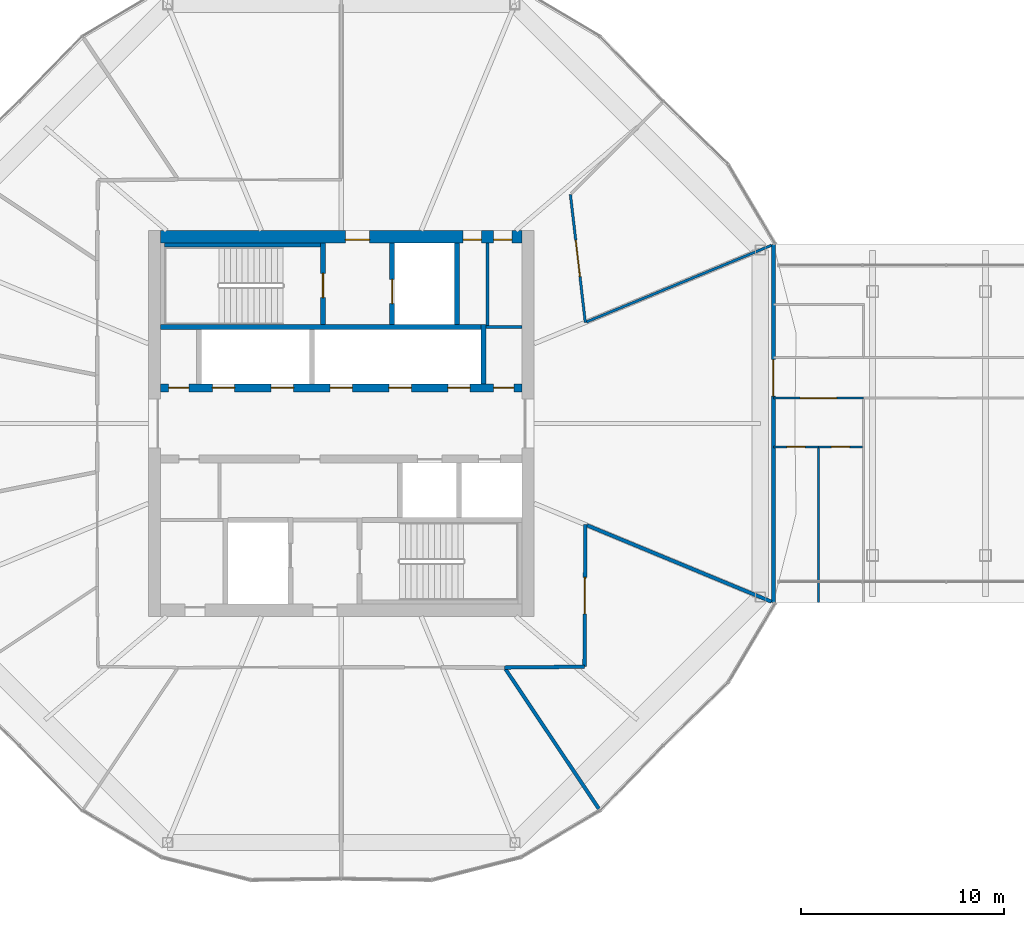
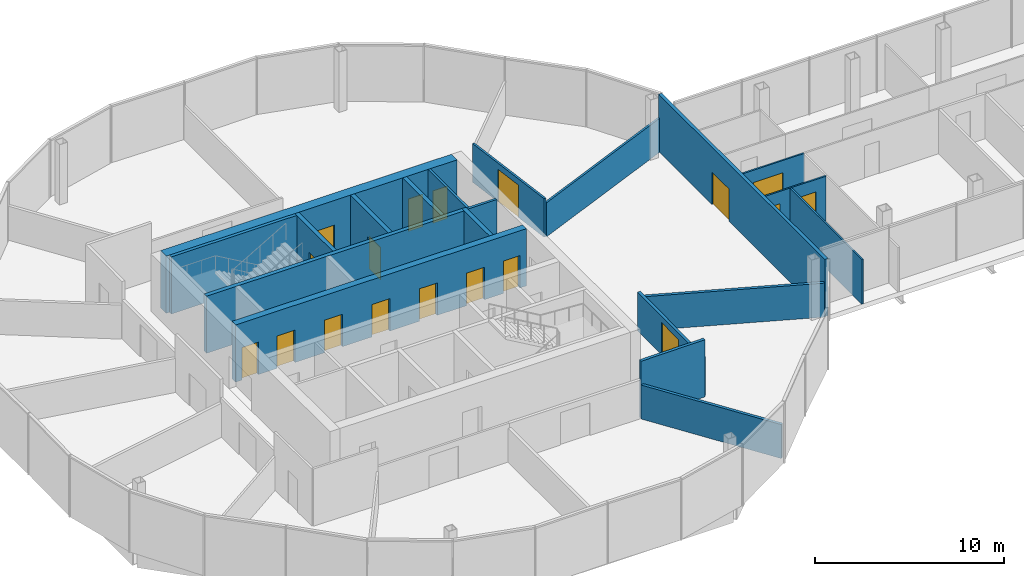
# One storey, part 20 of 26: 21 walls, 18 doors, 18 openings.
"""IFC4 building model written with IfcOpenShell, lengths in metres."""

from ifc_helpers import new_model, si_unit, direction, frame, frame_2d, origin, place, context, subcontext, project, spatial, rectangle, extrude, material, layer, layer_set, type_object, element, fill, save


model = new_model("IFC4")

# Units and contexts
model_context = context("Model", 3, precision=1e-05, world=origin(), true_north=direction((0.0, 1.0)))
body_context = subcontext(model_context, "Body", "Model", "MODEL_VIEW")
ifc_project = project(units=[si_unit("LENGTHUNIT", "METRE"), si_unit("AREAUNIT", "SQUARE_METRE"), si_unit("VOLUMEUNIT", "CUBIC_METRE"), si_unit("PLANEANGLEUNIT", "RADIAN"), si_unit("MASSUNIT", "GRAM", prefix="KILO")], contexts=[model_context])

# Site, building, storey
site_placement = place(None, origin())
site = spatial("IfcSite", under=ifc_project, at=site_placement, CompositionType="ELEMENT")
building_placement = place(site_placement, origin())
building = spatial("IfcBuilding", under=site, at=building_placement, Name="Ogive Gate Towers", CompositionType="ELEMENT")
storey_placement = place(building_placement, frame((0.0, 0.0, 156.800048828125)))
storey = spatial("IfcBuildingStorey", under=building, at=storey_placement, Name="L37", CompositionType="ELEMENT", Elevation=156.800048828125)

# Walls
ifc_material_1 = material(Name="Gypsum board acoustic partition")
ifc_layer_1 = layer(ifc_material_1, 0.175048828125)
ifc_layer_set_1 = layer_set([ifc_layer_1], Name="Acoustic partition 175")
wall_type_1 = type_object("IfcWallType", Name="Acoustic partition 175", PredefinedType="PARTITIONING", material=ifc_layer_set_1)
wall_1_placement = place(storey_placement, frame((-23.304443359375, -18.986083984375, 0.0), z_axis=(0.0, 0.0, 1.0), x_axis=(-0.555854795221, 0.831279403468, 0.0)))
element("IfcWall", 1, at=wall_1_placement, inside=storey, type_object=wall_type_1, Name="Partition T1-L37-011", PredefinedType="PARTITIONING", context=body_context, shape_type="SweptSolid", body=[
    extrude(rectangle(XDim=8.29150390625, YDim=0.175048828125, at=frame_2d((4.145751953125, 0.0))), origin(), (0.0, 0.0, 1.0), 2.199951171875),
])
wall_2_placement = place(storey_placement, frame((-14.813720703125, -8.775634765625, 0.0), z_axis=(0.0, 0.0, 1.0), x_axis=(-0.923885809309, 0.382668278482, 0.0)))
element("IfcWall", 2, at=wall_2_placement, inside=storey, type_object=wall_type_1, Name="Partition T1-L37-012", PredefinedType="PARTITIONING", context=body_context, shape_type="SweptSolid", body=[
    extrude(rectangle(XDim=9.83349609375, YDim=0.175048828125, at=frame_2d((4.916748046875, 0.0))), origin(), (0.0, 0.0, 1.0), 2.199951171875),
])

# Wall, opening, door
wall_3_placement = place(storey_placement, frame((-24.02001953125, -11.97998046875, 0.0), z_axis=(0.0, 0.0, 1.0), x_axis=(0.005788715954, 0.999983245243, 0.0)))
wall_3 = element("IfcWall", 3, at=wall_3_placement, inside=storey, type_object=wall_type_1, Name="Partition T1-L37-024", PredefinedType="PARTITIONING", context=body_context, shape_type="SweptSolid", body=[
    extrude(rectangle(XDim=7.0009765625, YDim=0.175048828125, at=frame_2d((3.50048828125, 0.0))), origin(), (0.0, 0.0, 1.0), 2.5),
])
opening_1_placement = place(wall_3_placement, frame((2.60107421875, 0.0, 0.0)))
opening_1 = element("IfcOpeningElement", 4, at=opening_1_placement, cuts=wall_3, Name="Opening T1-L37-D10", PredefinedType="OPENING", context=body_context, shape_type="SweptSolid", body=[
    extrude(rectangle(XDim=1.800048828125, YDim=2.10009765625, at=frame_2d((0.89990234375, 1.050048828125))), frame((0.0, 0.09765625, 0.0), z_axis=(0.0, -1.0, 0.0), x_axis=(1.0, 0.0, 0.0)), (0.0, 0.0, 1.0), 0.195068359375),
])
ifc_material_2 = material(Name="Timber door", Category="wood")
door_type_1 = type_object("IfcDoorType", Name="Door pair 1800", OperationType="NOTDEFINED", PredefinedType="DOOR", material=ifc_material_2)
door_1_placement = place(opening_1_placement, origin())
door_1 = element("IfcDoor", 5, at=door_1_placement, inside=storey, type_object=door_type_1, Name="Door T1-L37-D10", OperationType="DOUBLE_DOOR_DOUBLE_SWING", OverallHeight=2.10009765625, OverallWidth=1.800048828125, PredefinedType="DOOR", context=body_context, shape_type="SweptSolid", body=[
    extrude(rectangle(XDim=1.800048828125, YDim=2.10009765625, at=frame_2d((0.89990234375, 1.050048828125))), frame((0.0, 0.02490234375, 0.0), z_axis=(0.0, -1.0, 0.0), x_axis=(1.0, 0.0, 0.0)), (0.0, 0.0, 1.0), 0.050048828125),
])
fill(opening_1, door_1)

# Wall
wall_4_placement = place(storey_placement, frame((-27.9619140625, -12.020751953125, 0.0), z_axis=(0.0, 0.0, 1.0), x_axis=(0.999946514236, 0.010342565829, 0.0)))
element("IfcWall", 6, at=wall_4_placement, inside=storey, type_object=wall_type_1, Name="Partition T1-L37-025", PredefinedType="PARTITIONING", context=body_context, shape_type="SweptSolid", body=[
    extrude(rectangle(XDim=3.942138671875, YDim=0.175048828125, at=frame_2d((1.97119140625, 0.0))), origin(), (0.0, 0.0, 1.0), 3.699951171875),
])

# Wall, openings, doors
ifc_material_3 = material(Name="Concrete C60/75", Category="concrete")
ifc_layer_2 = layer(ifc_material_3, 0.60009765625)
ifc_layer_set_2 = layer_set([ifc_layer_2], Name="Core wall 600 mm")
wall_type_2 = type_object("IfcWallType", Name="Core wall 600 mm", PredefinedType="SHEAR", material=ifc_layer_set_2)
wall_5_placement = place(storey_placement, frame((-44.89990234375, 9.199951171875, 0.0), z_axis=(0.0, 0.0, 1.0), x_axis=(1.0, 0.0, 0.0)))
wall_5 = element("IfcWall", 7, at=wall_5_placement, inside=storey, type_object=wall_type_2, Name="T1 L37 Core wall 600 mm", PredefinedType="SHEAR", context=body_context, shape_type="SweptSolid", body=[
    extrude(rectangle(XDim=17.7998046875, YDim=0.60009765625, at=frame_2d((8.89990234375, 0.0))), origin(), (0.0, 0.0, 1.0), 3.699951171875),
])
opening_2_placement = place(wall_5_placement, frame((9.10009765625, 0.0, 0.0)))
opening_2 = element("IfcOpeningElement", 8, at=opening_2_placement, cuts=wall_5, Name="Opening KD-T1-L37-18", PredefinedType="OPENING", context=body_context, shape_type="SweptSolid", body=[
    extrude(rectangle(XDim=1.199951171875, YDim=2.10009765625, at=frame_2d((0.60009765625, 1.050048828125))), frame((0.0, 0.31005859375, 0.0), z_axis=(0.0, -1.0, 0.0), x_axis=(1.0, 0.0, 0.0)), (0.0, 0.0, 1.0), 0.6201171875),
])
opening_3_placement = place(wall_5_placement, frame((14.89990234375, 0.0, 0.0)))
opening_3 = element("IfcOpeningElement", 9, at=opening_3_placement, cuts=wall_5, Name="Opening KD-T1-L37-20", PredefinedType="OPENING", context=body_context, shape_type="SweptSolid", body=[
    extrude(rectangle(XDim=0.89990234375, YDim=2.10009765625, at=frame_2d((0.449951171875, 1.050048828125))), frame((0.0, 0.31005859375, 0.0), z_axis=(0.0, -1.0, 0.0), x_axis=(1.0, 0.0, 0.0)), (0.0, 0.0, 1.0), 0.6201171875),
])
opening_4_placement = place(wall_5_placement, frame((16.39990234375, 0.0, 0.0)))
opening_4 = element("IfcOpeningElement", 10, at=opening_4_placement, cuts=wall_5, Name="Opening KD-T1-L37-21", PredefinedType="OPENING", context=body_context, shape_type="SweptSolid", body=[
    extrude(rectangle(XDim=0.89990234375, YDim=2.10009765625, at=frame_2d((0.449951171875, 1.050048828125))), frame((0.0, 0.31005859375, 0.0), z_axis=(0.0, -1.0, 0.0), x_axis=(1.0, 0.0, 0.0)), (0.0, 0.0, 1.0), 0.6201171875),
])
door_type_2 = type_object("IfcDoorType", Name="Core WC door 900 x 2100", OperationType="NOTDEFINED", PredefinedType="DOOR", material=ifc_material_2)
door_2_placement = place(opening_3_placement, origin())
door_2 = element("IfcDoor", 11, at=door_2_placement, inside=storey, type_object=door_type_2, Name="T1 L37 Core door", OperationType="SINGLE_SWING_LEFT", OverallHeight=2.10009765625, OverallWidth=0.89990234375, PredefinedType="DOOR", context=body_context, shape_type="SweptSolid", body=[
    extrude(rectangle(XDim=0.89990234375, YDim=2.10009765625, at=frame_2d((0.449951171875, 1.050048828125))), frame((0.0, -0.125, 0.0), z_axis=(0.0, -1.0, 0.0), x_axis=(1.0, 0.0, 0.0)), (0.0, 0.0, 1.0), 0.050048828125),
])
fill(opening_3, door_2)
door_3_placement = place(opening_4_placement, origin())
door_3 = element("IfcDoor", 12, at=door_3_placement, inside=storey, type_object=door_type_2, Name="T1 L37 Core door", OperationType="SINGLE_SWING_RIGHT", OverallHeight=2.10009765625, OverallWidth=0.89990234375, PredefinedType="DOOR", context=body_context, shape_type="SweptSolid", body=[
    extrude(rectangle(XDim=0.89990234375, YDim=2.10009765625, at=frame_2d((0.449951171875, 1.050048828125))), frame((0.0, -0.125, 0.0), z_axis=(0.0, -1.0, 0.0), x_axis=(1.0, 0.0, 0.0)), (0.0, 0.0, 1.0), 0.050048828125),
])
fill(opening_4, door_3)
ifc_material_4 = material(Name="Steel fire door", Category="steel")
door_type_3 = type_object("IfcDoorType", Name="Core door FD60S 1200 x 2100", OperationType="NOTDEFINED", PredefinedType="DOOR", material=ifc_material_4)
door_4_placement = place(opening_2_placement, origin())
door_4 = element("IfcDoor", 13, at=door_4_placement, inside=storey, type_object=door_type_3, Name="T1 L37 Fire-fighting lobby door", OperationType="SINGLE_SWING_LEFT", OverallHeight=2.10009765625, OverallWidth=1.199951171875, PredefinedType="DOOR", context=body_context, shape_type="SweptSolid", body=[
    extrude(rectangle(XDim=1.199951171875, YDim=2.10009765625, at=frame_2d((0.60009765625, 1.050048828125))), frame((0.0, -0.125, 0.0), z_axis=(0.0, -1.0, 0.0), x_axis=(1.0, 0.0, 0.0)), (0.0, 0.0, 1.0), 0.050048828125),
])
fill(opening_2, door_4)

# Wall
ifc_material_5 = material(Name="Gypsum board partition")
ifc_layer_3 = layer(ifc_material_5, 0.125)
ifc_layer_set_3 = layer_set([ifc_layer_3], Name="Partition 125")
wall_type_3 = type_object("IfcWallType", Name="Partition 125", PredefinedType="PARTITIONING", material=ifc_layer_set_3)
wall_6_placement = place(storey_placement, frame((-14.813720703125, 8.775634765625, 0.0), z_axis=(0.0, 0.0, 1.0), x_axis=(-0.92387647813, -0.382690806212, 0.0)))
element("IfcWall", 14, at=wall_6_placement, inside=storey, type_object=wall_type_3, Name="Partition T1-L37-001", PredefinedType="PARTITIONING", context=body_context, shape_type="SweptSolid", body=[
    extrude(rectangle(XDim=9.8583984375, YDim=0.125, at=frame_2d((4.92919921875, 0.0))), origin(), (0.0, 0.0, 1.0), 2.199951171875),
])

# Wall, opening, door
wall_7_placement = place(storey_placement, frame((-23.9794921875, 4.97900390625, 0.0), z_axis=(0.0, 0.0, 1.0), x_axis=(-0.115781431912, 0.993274715285, 0.0)))
wall_7 = element("IfcWall", 15, at=wall_7_placement, inside=storey, type_object=wall_type_3, Name="Partition T1-L37-013", PredefinedType="PARTITIONING", context=body_context, shape_type="SweptSolid", body=[
    extrude(rectangle(XDim=6.34912109375, YDim=0.125, at=frame_2d((3.174560546875, 0.0))), origin(), (0.0, 0.0, 1.0), 2.5),
])
opening_5_placement = place(wall_7_placement, frame((2.27490234375, 0.0, 0.0)))
opening_5 = element("IfcOpeningElement", 16, at=opening_5_placement, cuts=wall_7, Name="Opening T1-L37-D01", PredefinedType="OPENING", context=body_context, shape_type="SweptSolid", body=[
    extrude(rectangle(XDim=1.800048828125, YDim=2.10009765625, at=frame_2d((0.89990234375, 1.050048828125))), frame((0.0, 0.072509765625, 0.0), z_axis=(0.0, -1.0, 0.0), x_axis=(1.0, 0.0, 0.0)), (0.0, 0.0, 1.0), 0.14501953125),
])
door_5_placement = place(opening_5_placement, origin())
door_5 = element("IfcDoor", 17, at=door_5_placement, inside=storey, type_object=door_type_1, Name="Door T1-L37-D01", OperationType="DOUBLE_DOOR_DOUBLE_SWING", OverallHeight=2.10009765625, OverallWidth=1.800048828125, PredefinedType="DOOR", context=body_context, shape_type="SweptSolid", body=[
    extrude(rectangle(XDim=1.800048828125, YDim=2.10009765625, at=frame_2d((0.89990234375, 1.050048828125))), frame((0.0, 0.02490234375, 0.0), z_axis=(0.0, -1.0, 0.0), x_axis=(1.0, 0.0, 0.0)), (0.0, 0.0, 1.0), 0.050048828125),
])
fill(opening_5, door_5)

ifc_layer_4 = layer(ifc_material_5, 0.10009765625)
ifc_layer_set_4 = layer_set([ifc_layer_4], Name="Partition wall 100")
wall_type_4 = type_object("IfcWallType", Name="Partition wall 100", PredefinedType="PARTITIONING", material=ifc_layer_set_4)
wall_8_placement = place(storey_placement, frame((-14.7138671875, 1.25, 0.0), z_axis=(0.0, 0.0, 1.0), x_axis=(1.0, 0.0, 0.0)))
wall_8 = element("IfcWall", 18, at=wall_8_placement, inside=storey, type_object=wall_type_4, Name="L37 partition 001", PredefinedType="PARTITIONING", context=body_context, shape_type="SweptSolid", body=[
    extrude(rectangle(XDim=4.433349609375, YDim=0.10009765625, at=frame_2d((2.216796875, 0.0))), origin(), (0.0, 0.0, 1.0), 2.89990234375),
])
opening_6_placement = place(wall_8_placement, frame((1.316650390625, 0.0, 0.0)))
opening_6 = element("IfcOpeningElement", 19, at=opening_6_placement, cuts=wall_8, Name="Opening PO282", PredefinedType="OPENING", context=body_context, shape_type="SweptSolid", body=[
    extrude(rectangle(XDim=1.800048828125, YDim=2.10009765625, at=frame_2d((0.89990234375, 1.050048828125))), frame((0.0, 0.06005859375, 0.0), z_axis=(0.0, -1.0, 0.0), x_axis=(1.0, 0.0, 0.0)), (0.0, 0.0, 1.0), 0.1201171875),
])
door_type_4 = type_object("IfcDoorType", Name="Double door 1800 x 2100", OperationType="NOTDEFINED", PredefinedType="DOOR", material=ifc_material_2)
door_6_placement = place(opening_6_placement, origin())
door_6 = element("IfcDoor", 20, at=door_6_placement, inside=storey, type_object=door_type_4, Name="Door PO282", OperationType="DOUBLE_DOOR_DOUBLE_SWING", OverallHeight=2.10009765625, OverallWidth=1.800048828125, PredefinedType="DOOR", context=body_context, shape_type="SweptSolid", body=[
    extrude(rectangle(XDim=1.800048828125, YDim=2.10009765625, at=frame_2d((0.89990234375, 1.050048828125))), frame((0.0, 0.02490234375, 0.0), z_axis=(0.0, -1.0, 0.0), x_axis=(1.0, 0.0, 0.0)), (0.0, 0.0, 1.0), 0.050048828125),
])
fill(opening_6, door_6)

wall_9_placement = place(storey_placement, frame((-14.7138671875, -1.14990234375, 0.0), z_axis=(0.0, 0.0, 1.0), x_axis=(1.0, 0.0, 0.0)))
wall_9 = element("IfcWall", 21, at=wall_9_placement, inside=storey, type_object=wall_type_4, Name="L37 partition 009", PredefinedType="PARTITIONING", context=body_context, shape_type="SweptSolid", body=[
    extrude(rectangle(XDim=2.216552734375, YDim=0.10009765625, at=frame_2d((1.1083984375, 0.0))), origin(), (0.0, 0.0, 1.0), 2.89990234375),
])
opening_7_placement = place(wall_9_placement, frame((0.658203125, 0.0, 0.0)))
opening_7 = element("IfcOpeningElement", 22, at=opening_7_placement, cuts=wall_9, Name="Opening PO283", PredefinedType="OPENING", context=body_context, shape_type="SweptSolid", body=[
    extrude(rectangle(XDim=0.89990234375, YDim=2.10009765625, at=frame_2d((0.449951171875, 1.050048828125))), frame((0.0, 0.06005859375, 0.0), z_axis=(0.0, -1.0, 0.0), x_axis=(1.0, 0.0, 0.0)), (0.0, 0.0, 1.0), 0.1201171875),
])
door_type_5 = type_object("IfcDoorType", Name="Door 900 x 2100", OperationType="NOTDEFINED", PredefinedType="DOOR", material=ifc_material_2)
door_7_placement = place(opening_7_placement, origin())
door_7 = element("IfcDoor", 23, at=door_7_placement, inside=storey, type_object=door_type_5, Name="Door PO283", OperationType="SINGLE_SWING_LEFT", OverallHeight=2.10009765625, OverallWidth=0.89990234375, PredefinedType="DOOR", context=body_context, shape_type="SweptSolid", body=[
    extrude(rectangle(XDim=0.89990234375, YDim=2.10009765625, at=frame_2d((0.449951171875, 1.050048828125))), frame((0.0, 0.02490234375, 0.0), z_axis=(0.0, -1.0, 0.0), x_axis=(1.0, 0.0, 0.0)), (0.0, 0.0, 1.0), 0.050048828125),
])
fill(opening_7, door_7)

wall_10_placement = place(storey_placement, frame((-12.497314453125, -1.14990234375, 0.0), z_axis=(0.0, 0.0, 1.0), x_axis=(1.0, 0.0, 0.0)))
wall_10 = element("IfcWall", 24, at=wall_10_placement, inside=storey, type_object=wall_type_4, Name="L37 partition 010", PredefinedType="PARTITIONING", context=body_context, shape_type="SweptSolid", body=[
    extrude(rectangle(XDim=2.166748046875, YDim=0.10009765625, at=frame_2d((1.08349609375, 0.0))), origin(), (0.0, 0.0, 1.0), 2.89990234375),
])
opening_8_placement = place(wall_10_placement, frame((0.63330078125, 0.0, 0.0)))
opening_8 = element("IfcOpeningElement", 25, at=opening_8_placement, cuts=wall_10, Name="Opening PO284", PredefinedType="OPENING", context=body_context, shape_type="SweptSolid", body=[
    extrude(rectangle(XDim=0.89990234375, YDim=2.10009765625, at=frame_2d((0.449951171875, 1.050048828125))), frame((0.0, 0.06005859375, 0.0), z_axis=(0.0, -1.0, 0.0), x_axis=(1.0, 0.0, 0.0)), (0.0, 0.0, 1.0), 0.1201171875),
])
door_8_placement = place(opening_8_placement, origin())
door_8 = element("IfcDoor", 26, at=door_8_placement, inside=storey, type_object=door_type_5, Name="Door PO284", OperationType="SINGLE_SWING_RIGHT", OverallHeight=2.10009765625, OverallWidth=0.89990234375, PredefinedType="DOOR", context=body_context, shape_type="SweptSolid", body=[
    extrude(rectangle(XDim=0.89990234375, YDim=2.10009765625, at=frame_2d((0.449951171875, 1.050048828125))), frame((0.0, 0.02490234375, 0.0), z_axis=(0.0, -1.0, 0.0), x_axis=(1.0, 0.0, 0.0)), (0.0, 0.0, 1.0), 0.050048828125),
])
fill(opening_8, door_8)

# Wall
wall_11_placement = place(storey_placement, frame((-12.497314453125, -8.81689453125, 0.0), z_axis=(0.0, 0.0, 1.0), x_axis=(0.0, 1.0, 0.0)))
element("IfcWall", 27, at=wall_11_placement, inside=storey, type_object=wall_type_4, Name="L37 partition 012", PredefinedType="PARTITIONING", context=body_context, shape_type="SweptSolid", body=[
    extrude(rectangle(XDim=7.616943359375, YDim=0.10009765625, at=frame_2d((3.80859375, 0.0))), origin(), (0.0, 0.0, 1.0), 2.89990234375),
])

# Wall, opening, door
ifc_material_6 = material(Name="Masonry block wall", Category="masonry")
ifc_layer_5 = layer(ifc_material_6, 0.199951171875)
ifc_layer_set_5 = layer_set([ifc_layer_5], Name="Partition wall 200")
wall_type_5 = type_object("IfcWallType", Name="Partition wall 200", PredefinedType="PARTITIONING", material=ifc_layer_set_5)
wall_12_placement = place(storey_placement, frame((-14.7138671875, -8.817138671875, 0.0), z_axis=(0.0, 0.0, 1.0), x_axis=(0.0, 1.0, 0.0)))
wall_12 = element("IfcWall", 28, at=wall_12_placement, inside=storey, type_object=wall_type_5, Name="L37 wall 020", PredefinedType="PARTITIONING", context=body_context, shape_type="SweptSolid", body=[
    extrude(rectangle(XDim=17.63427734375, YDim=0.199951171875, at=frame_2d((8.817138671875, 0.0))), origin(), (0.0, 0.0, 1.0), 3.699951171875),
])
opening_9_placement = place(wall_12_placement, frame((10.1669921875, 0.0, 0.0)))
opening_9 = element("IfcOpeningElement", 29, at=opening_9_placement, cuts=wall_12, Name="Opening PO294", PredefinedType="OPENING", context=body_context, shape_type="SweptSolid", body=[
    extrude(rectangle(XDim=1.800048828125, YDim=2.10009765625, at=frame_2d((0.89990234375, 1.050048828125))), frame((0.0, 0.10986328125, 0.0), z_axis=(0.0, -1.0, 0.0), x_axis=(1.0, 0.0, 0.0)), (0.0, 0.0, 1.0), 0.219970703125),
])
door_type_6 = type_object("IfcDoorType", Name="Interior fire double door FD120S 1800 x 2100", OperationType="NOTDEFINED", PredefinedType="DOOR", material=ifc_material_4)
door_9_placement = place(opening_9_placement, origin())
door_9 = element("IfcDoor", 30, at=door_9_placement, inside=storey, type_object=door_type_6, Name="Door PO294", OperationType="DOUBLE_DOOR_DOUBLE_SWING", OverallHeight=2.10009765625, OverallWidth=1.800048828125, PredefinedType="DOOR", context=body_context, shape_type="SweptSolid", body=[
    extrude(rectangle(XDim=1.800048828125, YDim=2.10009765625, at=frame_2d((0.89990234375, 1.050048828125))), frame((0.0, 0.02490234375, 0.0), z_axis=(0.0, -1.0, 0.0), x_axis=(1.0, 0.0, 0.0)), (0.0, 0.0, 1.0), 0.050048828125),
])
fill(opening_9, door_9)

# Walls
ifc_layer_6 = layer(ifc_material_5, 0.14990234375)
ifc_layer_set_6 = layer_set([ifc_layer_6], Name="Room partition 150 mm")
wall_type_6 = type_object("IfcWallType", Name="Room partition 150 mm", PredefinedType="PARTITIONING", material=ifc_layer_set_6)
wall_13_placement = place(storey_placement, frame((-28.875, 4.75, 0.0), z_axis=(0.0, 0.0, 1.0), x_axis=(1.0, 0.0, 0.0)))
element("IfcWall", 31, at=wall_13_placement, inside=storey, type_object=wall_type_6, Name="T1 L37 Room partition 150 mm", PredefinedType="PARTITIONING", context=body_context, shape_type="SweptSolid", body=[
    extrude(rectangle(XDim=1.77490234375, YDim=0.14990234375, at=frame_2d((0.887451171875, 0.0))), origin(), (0.0, 0.0, 1.0), 3.699951171875),
])
wall_14_placement = place(storey_placement, frame((-28.800048828125, 4.824951171875, 0.0), z_axis=(0.0, 0.0, 1.0), x_axis=(0.0, 1.0, 0.0)))
element("IfcWall", 32, at=wall_14_placement, inside=storey, type_object=wall_type_6, Name="T1 L37 Room partition 150 mm", PredefinedType="PARTITIONING", context=body_context, shape_type="SweptSolid", body=[
    extrude(rectangle(XDim=4.074951171875, YDim=0.14990234375, at=frame_2d((2.03759765625, 0.0))), origin(), (0.0, 0.0, 1.0), 3.699951171875),
])
ifc_layer_7 = layer(ifc_material_3, 0.25)
ifc_layer_set_7 = layer_set([ifc_layer_7], Name="Shaft wall 250 mm")
wall_type_7 = type_object("IfcWallType", Name="Shaft wall 250 mm", PredefinedType="SHEAR", material=ifc_layer_set_7)
wall_15_placement = place(storey_placement, frame((-44.89990234375, 4.75, 0.0), z_axis=(0.0, 0.0, 1.0), x_axis=(1.0, 0.0, 0.0)))
element("IfcWall", 33, at=wall_15_placement, inside=storey, type_object=wall_type_7, Name="T1 L37 Shaft wall 250 mm", PredefinedType="SHEAR", context=body_context, shape_type="SweptSolid", body=[
    extrude(rectangle(XDim=15.77490234375, YDim=0.25, at=frame_2d((7.887451171875, 0.0))), origin(), (0.0, 0.0, 1.0), 3.699951171875),
])

# Wall, opening, door
wall_16_placement = place(storey_placement, frame((-36.89990234375, 4.875, 0.0), z_axis=(0.0, 0.0, 1.0), x_axis=(0.0, 1.0, 0.0)))
wall_16 = element("IfcWall", 34, at=wall_16_placement, inside=storey, type_object=wall_type_7, Name="T1 L37 Shaft wall 250 mm", PredefinedType="SHEAR", context=body_context, shape_type="SweptSolid", body=[
    extrude(rectangle(XDim=4.02490234375, YDim=0.25, at=frame_2d((2.012451171875, 0.0))), origin(), (0.0, 0.0, 1.0), 3.699951171875),
])
opening_10_placement = place(wall_16_placement, frame((1.324951171875, 0.0, 0.0)))
opening_10 = element("IfcOpeningElement", 35, at=opening_10_placement, cuts=wall_16, Name="Opening KD-T1-L37-16", PredefinedType="OPENING", context=body_context, shape_type="SweptSolid", body=[
    extrude(rectangle(XDim=1.199951171875, YDim=2.10009765625, at=frame_2d((0.60009765625, 1.050048828125))), frame((0.0, 0.135009765625, 0.0), z_axis=(0.0, -1.0, 0.0), x_axis=(1.0, 0.0, 0.0)), (0.0, 0.0, 1.0), 0.27001953125),
])
door_10_placement = place(opening_10_placement, origin())
door_10 = element("IfcDoor", 36, at=door_10_placement, inside=storey, type_object=door_type_3, Name="T1 L37 Stair door", OperationType="SINGLE_SWING_LEFT", OverallHeight=2.10009765625, OverallWidth=1.199951171875, PredefinedType="DOOR", context=body_context, shape_type="SweptSolid", body=[
    extrude(rectangle(XDim=1.199951171875, YDim=2.10009765625, at=frame_2d((0.60009765625, 1.050048828125))), frame((0.0, 0.02490234375, 0.0), z_axis=(0.0, -1.0, 0.0), x_axis=(1.0, 0.0, 0.0)), (0.0, 0.0, 1.0), 0.050048828125),
])
fill(opening_10, door_10)

wall_17_placement = place(storey_placement, frame((-33.5, 4.875, 0.0), z_axis=(0.0, 0.0, 1.0), x_axis=(0.0, 1.0, 0.0)))
wall_17 = element("IfcWall", 37, at=wall_17_placement, inside=storey, type_object=wall_type_7, Name="T1 L37 Shaft wall 250 mm", PredefinedType="SHEAR", context=body_context, shape_type="SweptSolid", body=[
    extrude(rectangle(XDim=4.02490234375, YDim=0.25, at=frame_2d((2.012451171875, 0.0))), origin(), (0.0, 0.0, 1.0), 3.699951171875),
])
opening_11_placement = place(wall_17_placement, frame((1.02490234375, 0.0, 0.0)))
opening_11 = element("IfcOpeningElement", 38, at=opening_11_placement, cuts=wall_17, Name="Opening LD-T1-L37-12", PredefinedType="OPENING", context=body_context, shape_type="SweptSolid", body=[
    extrude(rectangle(XDim=1.199951171875, YDim=2.10009765625, at=frame_2d((0.60009765625, 1.050048828125))), frame((0.0, 0.135009765625, 0.0), z_axis=(0.0, -1.0, 0.0), x_axis=(1.0, 0.0, 0.0)), (0.0, 0.0, 1.0), 0.27001953125),
])
ifc_material_7 = material(Name="Stainless steel landing door", Category="steel")
door_type_7 = type_object("IfcDoorType", Name="Landing door 1200 x 2100", OperationType="SLIDING_TO_LEFT", PredefinedType="DOOR", material=ifc_material_7)
door_11_placement = place(opening_11_placement, origin())
door_11 = element("IfcDoor", 39, at=door_11_placement, inside=storey, type_object=door_type_7, Name="T1 L37 Lift landing door FF1", OperationType="SLIDING_TO_LEFT", OverallHeight=2.10009765625, OverallWidth=1.199951171875, PredefinedType="DOOR", context=body_context, shape_type="SweptSolid", body=[
    extrude(rectangle(XDim=1.199951171875, YDim=2.10009765625, at=frame_2d((0.60009765625, 1.050048828125))), frame((0.0, 0.02490234375, 0.0), z_axis=(0.0, -1.0, 0.0), x_axis=(1.0, 0.0, 0.0)), (0.0, 0.0, 1.0), 0.050048828125),
])
fill(opening_11, door_11)

# Walls
wall_18_placement = place(storey_placement, frame((-30.300048828125, 4.875, 0.0), z_axis=(0.0, 0.0, 1.0), x_axis=(0.0, 1.0, 0.0)))
element("IfcWall", 40, at=wall_18_placement, inside=storey, type_object=wall_type_7, Name="T1 L37 Shaft wall 250 mm", PredefinedType="SHEAR", context=body_context, shape_type="SweptSolid", body=[
    extrude(rectangle(XDim=4.02490234375, YDim=0.25, at=frame_2d((2.012451171875, 0.0))), origin(), (0.0, 0.0, 1.0), 3.699951171875),
])
wall_19_placement = place(storey_placement, frame((-29.0, 1.949951171875, 0.0), z_axis=(0.0, 0.0, 1.0), x_axis=(0.0, 1.0, 0.0)))
element("IfcWall", 41, at=wall_19_placement, inside=storey, type_object=wall_type_7, Name="T1 L37 Shaft wall 250 mm", PredefinedType="SHEAR", context=body_context, shape_type="SweptSolid", body=[
    extrude(rectangle(XDim=2.925048828125, YDim=0.25, at=frame_2d((1.46240234375, 0.0))), origin(), (0.0, 0.0, 1.0), 3.699951171875),
])

# Wall, openings, doors
ifc_layer_8 = layer(ifc_material_3, 0.39990234375)
ifc_layer_set_8 = layer_set([ifc_layer_8], Name="Spine wall 400 mm")
wall_type_8 = type_object("IfcWallType", Name="Spine wall 400 mm", PredefinedType="SHEAR", material=ifc_layer_set_8)
wall_20_placement = place(storey_placement, frame((-44.89990234375, 1.75, 0.0), z_axis=(0.0, 0.0, 1.0), x_axis=(1.0, 0.0, 0.0)))
wall_20 = element("IfcWall", 42, at=wall_20_placement, inside=storey, type_object=wall_type_8, Name="T1 L37 Spine wall 400 mm", PredefinedType="SHEAR", context=body_context, shape_type="SweptSolid", body=[
    extrude(rectangle(XDim=17.7998046875, YDim=0.39990234375, at=frame_2d((8.89990234375, 0.0))), origin(), (0.0, 0.0, 1.0), 3.699951171875),
])
opening_12_placement = place(wall_20_placement, frame((0.39990234375, 0.0, 0.0)))
opening_12 = element("IfcOpeningElement", 43, at=opening_12_placement, cuts=wall_20, Name="Opening KD-T1-L37-03", PredefinedType="OPENING", context=body_context, shape_type="SweptSolid", body=[
    extrude(rectangle(XDim=1.0, YDim=2.10009765625, at=frame_2d((0.5, 1.050048828125))), frame((0.0, 0.2099609375, 0.0), z_axis=(0.0, -1.0, 0.0), x_axis=(1.0, 0.0, 0.0)), (0.0, 0.0, 1.0), 0.419921875),
])
opening_13_placement = place(wall_20_placement, frame((2.550048828125, 0.0, 0.0)))
opening_13 = element("IfcOpeningElement", 44, at=opening_13_placement, cuts=wall_20, Name="Opening LD-T1-L37-04", PredefinedType="OPENING", context=body_context, shape_type="SweptSolid", body=[
    extrude(rectangle(XDim=1.10009765625, YDim=2.10009765625, at=frame_2d((0.550048828125, 1.050048828125))), frame((0.0, 0.2099609375, 0.0), z_axis=(0.0, -1.0, 0.0), x_axis=(1.0, 0.0, 0.0)), (0.0, 0.0, 1.0), 0.419921875),
])
opening_14_placement = place(wall_20_placement, frame((5.449951171875, 0.0, 0.0)))
opening_14 = element("IfcOpeningElement", 45, at=opening_14_placement, cuts=wall_20, Name="Opening LD-T1-L37-05", PredefinedType="OPENING", context=body_context, shape_type="SweptSolid", body=[
    extrude(rectangle(XDim=1.10009765625, YDim=2.10009765625, at=frame_2d((0.550048828125, 1.050048828125))), frame((0.0, 0.2099609375, 0.0), z_axis=(0.0, -1.0, 0.0), x_axis=(1.0, 0.0, 0.0)), (0.0, 0.0, 1.0), 0.419921875),
])
opening_15_placement = place(wall_20_placement, frame((8.35009765625, 0.0, 0.0)))
opening_15 = element("IfcOpeningElement", 46, at=opening_15_placement, cuts=wall_20, Name="Opening LD-T1-L37-06", PredefinedType="OPENING", context=body_context, shape_type="SweptSolid", body=[
    extrude(rectangle(XDim=1.10009765625, YDim=2.10009765625, at=frame_2d((0.550048828125, 1.050048828125))), frame((0.0, 0.2099609375, 0.0), z_axis=(0.0, -1.0, 0.0), x_axis=(1.0, 0.0, 0.0)), (0.0, 0.0, 1.0), 0.419921875),
])
opening_16_placement = place(wall_20_placement, frame((11.25, 0.0, 0.0)))
opening_16 = element("IfcOpeningElement", 47, at=opening_16_placement, cuts=wall_20, Name="Opening LD-T1-L37-07", PredefinedType="OPENING", context=body_context, shape_type="SweptSolid", body=[
    extrude(rectangle(XDim=1.10009765625, YDim=2.10009765625, at=frame_2d((0.550048828125, 1.050048828125))), frame((0.0, 0.2099609375, 0.0), z_axis=(0.0, -1.0, 0.0), x_axis=(1.0, 0.0, 0.0)), (0.0, 0.0, 1.0), 0.419921875),
])
opening_17_placement = place(wall_20_placement, frame((14.14990234375, 0.0, 0.0)))
opening_17 = element("IfcOpeningElement", 48, at=opening_17_placement, cuts=wall_20, Name="Opening LD-T1-L37-08", PredefinedType="OPENING", context=body_context, shape_type="SweptSolid", body=[
    extrude(rectangle(XDim=1.10009765625, YDim=2.10009765625, at=frame_2d((0.550048828125, 1.050048828125))), frame((0.0, 0.2099609375, 0.0), z_axis=(0.0, -1.0, 0.0), x_axis=(1.0, 0.0, 0.0)), (0.0, 0.0, 1.0), 0.419921875),
])
opening_18_placement = place(wall_20_placement, frame((16.39990234375, 0.0, 0.0)))
opening_18 = element("IfcOpeningElement", 49, at=opening_18_placement, cuts=wall_20, Name="Opening KD-T1-L37-09", PredefinedType="OPENING", context=body_context, shape_type="SweptSolid", body=[
    extrude(rectangle(XDim=1.0, YDim=2.10009765625, at=frame_2d((0.5, 1.050048828125))), frame((0.0, 0.2099609375, 0.0), z_axis=(0.0, -1.0, 0.0), x_axis=(1.0, 0.0, 0.0)), (0.0, 0.0, 1.0), 0.419921875),
])
door_type_8 = type_object("IfcDoorType", Name="Core door FD60S 1000 x 2100", OperationType="NOTDEFINED", PredefinedType="DOOR", material=ifc_material_4)
door_12_placement = place(opening_12_placement, origin())
door_12 = element("IfcDoor", 50, at=door_12_placement, inside=storey, type_object=door_type_8, Name="T1 L37 Core door", OperationType="SINGLE_SWING_RIGHT", OverallHeight=2.10009765625, OverallWidth=1.0, PredefinedType="DOOR", context=body_context, shape_type="SweptSolid", body=[
    extrude(rectangle(XDim=1.0, YDim=2.10009765625, at=frame_2d((0.5, 1.050048828125))), frame((0.0, 0.02490234375, 0.0), z_axis=(0.0, -1.0, 0.0), x_axis=(1.0, 0.0, 0.0)), (0.0, 0.0, 1.0), 0.050048828125),
])
fill(opening_12, door_12)
door_13_placement = place(opening_18_placement, origin())
door_13 = element("IfcDoor", 51, at=door_13_placement, inside=storey, type_object=door_type_8, Name="T1 L37 Core door", OperationType="SINGLE_SWING_RIGHT", OverallHeight=2.10009765625, OverallWidth=1.0, PredefinedType="DOOR", context=body_context, shape_type="SweptSolid", body=[
    extrude(rectangle(XDim=1.0, YDim=2.10009765625, at=frame_2d((0.5, 1.050048828125))), frame((0.0, 0.02490234375, 0.0), z_axis=(0.0, -1.0, 0.0), x_axis=(1.0, 0.0, 0.0)), (0.0, 0.0, 1.0), 0.050048828125),
])
fill(opening_18, door_13)
door_type_9 = type_object("IfcDoorType", Name="Landing door 1100 x 2100", OperationType="SLIDING_TO_LEFT", PredefinedType="DOOR", material=ifc_material_7)
door_14_placement = place(opening_13_placement, origin())
door_14 = element("IfcDoor", 52, at=door_14_placement, inside=storey, type_object=door_type_9, Name="T1 L37 Lift landing door B1", OperationType="SLIDING_TO_LEFT", OverallHeight=2.10009765625, OverallWidth=1.10009765625, PredefinedType="DOOR", context=body_context, shape_type="SweptSolid", body=[
    extrude(rectangle(XDim=1.10009765625, YDim=2.10009765625, at=frame_2d((0.550048828125, 1.050048828125))), frame((0.0, 0.02490234375, 0.0), z_axis=(0.0, -1.0, 0.0), x_axis=(1.0, 0.0, 0.0)), (0.0, 0.0, 1.0), 0.050048828125),
])
fill(opening_13, door_14)
door_15_placement = place(opening_14_placement, origin())
door_15 = element("IfcDoor", 53, at=door_15_placement, inside=storey, type_object=door_type_9, Name="T1 L37 Lift landing door B2", OperationType="SLIDING_TO_LEFT", OverallHeight=2.10009765625, OverallWidth=1.10009765625, PredefinedType="DOOR", context=body_context, shape_type="SweptSolid", body=[
    extrude(rectangle(XDim=1.10009765625, YDim=2.10009765625, at=frame_2d((0.550048828125, 1.050048828125))), frame((0.0, 0.02490234375, 0.0), z_axis=(0.0, -1.0, 0.0), x_axis=(1.0, 0.0, 0.0)), (0.0, 0.0, 1.0), 0.050048828125),
])
fill(opening_14, door_15)
door_16_placement = place(opening_15_placement, origin())
door_16 = element("IfcDoor", 54, at=door_16_placement, inside=storey, type_object=door_type_9, Name="T1 L37 Lift landing door B3", OperationType="SLIDING_TO_LEFT", OverallHeight=2.10009765625, OverallWidth=1.10009765625, PredefinedType="DOOR", context=body_context, shape_type="SweptSolid", body=[
    extrude(rectangle(XDim=1.10009765625, YDim=2.10009765625, at=frame_2d((0.550048828125, 1.050048828125))), frame((0.0, 0.02490234375, 0.0), z_axis=(0.0, -1.0, 0.0), x_axis=(1.0, 0.0, 0.0)), (0.0, 0.0, 1.0), 0.050048828125),
])
fill(opening_15, door_16)
door_17_placement = place(opening_16_placement, origin())
door_17 = element("IfcDoor", 55, at=door_17_placement, inside=storey, type_object=door_type_9, Name="T1 L37 Lift landing door B4", OperationType="SLIDING_TO_LEFT", OverallHeight=2.10009765625, OverallWidth=1.10009765625, PredefinedType="DOOR", context=body_context, shape_type="SweptSolid", body=[
    extrude(rectangle(XDim=1.10009765625, YDim=2.10009765625, at=frame_2d((0.550048828125, 1.050048828125))), frame((0.0, 0.02490234375, 0.0), z_axis=(0.0, -1.0, 0.0), x_axis=(1.0, 0.0, 0.0)), (0.0, 0.0, 1.0), 0.050048828125),
])
fill(opening_16, door_17)
door_18_placement = place(opening_17_placement, origin())
door_18 = element("IfcDoor", 56, at=door_18_placement, inside=storey, type_object=door_type_9, Name="T1 L37 Lift landing door B5", OperationType="SLIDING_TO_LEFT", OverallHeight=2.10009765625, OverallWidth=1.10009765625, PredefinedType="DOOR", context=body_context, shape_type="SweptSolid", body=[
    extrude(rectangle(XDim=1.10009765625, YDim=2.10009765625, at=frame_2d((0.550048828125, 1.050048828125))), frame((0.0, 0.02490234375, 0.0), z_axis=(0.0, -1.0, 0.0), x_axis=(1.0, 0.0, 0.0)), (0.0, 0.0, 1.0), 0.050048828125),
])
fill(opening_17, door_18)

# Wall
ifc_layer_9 = layer(ifc_material_3, 0.199951171875)
ifc_layer_set_9 = layer_set([ifc_layer_9], Name="Stair wall 200 mm")
wall_type_9 = type_object("IfcWallType", Name="Stair wall 200 mm", PredefinedType="SHEAR", material=ifc_layer_set_9)
wall_21_placement = place(storey_placement, frame((-44.699951171875, 8.800048828125, 0.0), z_axis=(0.0, 0.0, 1.0), x_axis=(1.0, 0.0, 0.0)))
element("IfcWall", 57, at=wall_21_placement, inside=storey, type_object=wall_type_9, Name="T1 L37 Stair wall 200 mm", PredefinedType="SHEAR", context=body_context, shape_type="SweptSolid", body=[
    extrude(rectangle(XDim=7.675048828125, YDim=0.199951171875, at=frame_2d((3.83740234375, 0.0))), origin(), (0.0, 0.0, 1.0), 3.699951171875),
])

save(model, "model.ifc")
